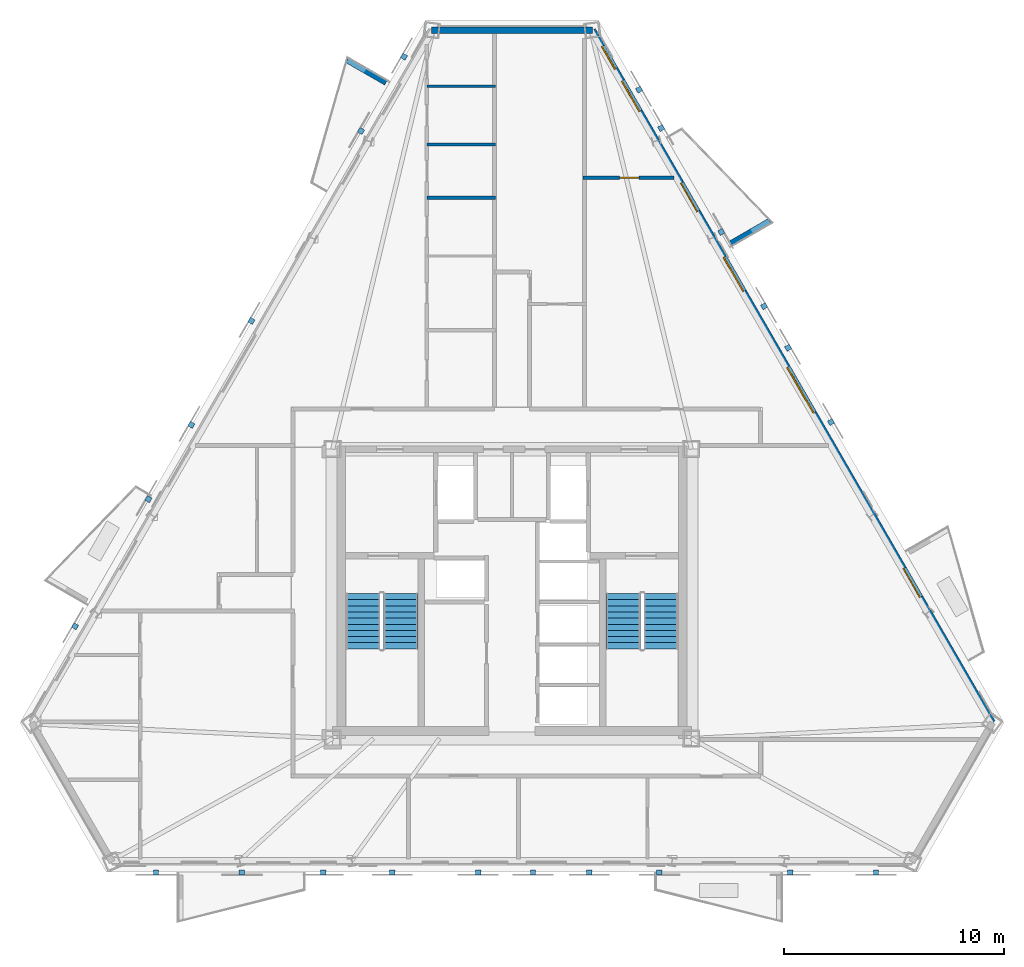
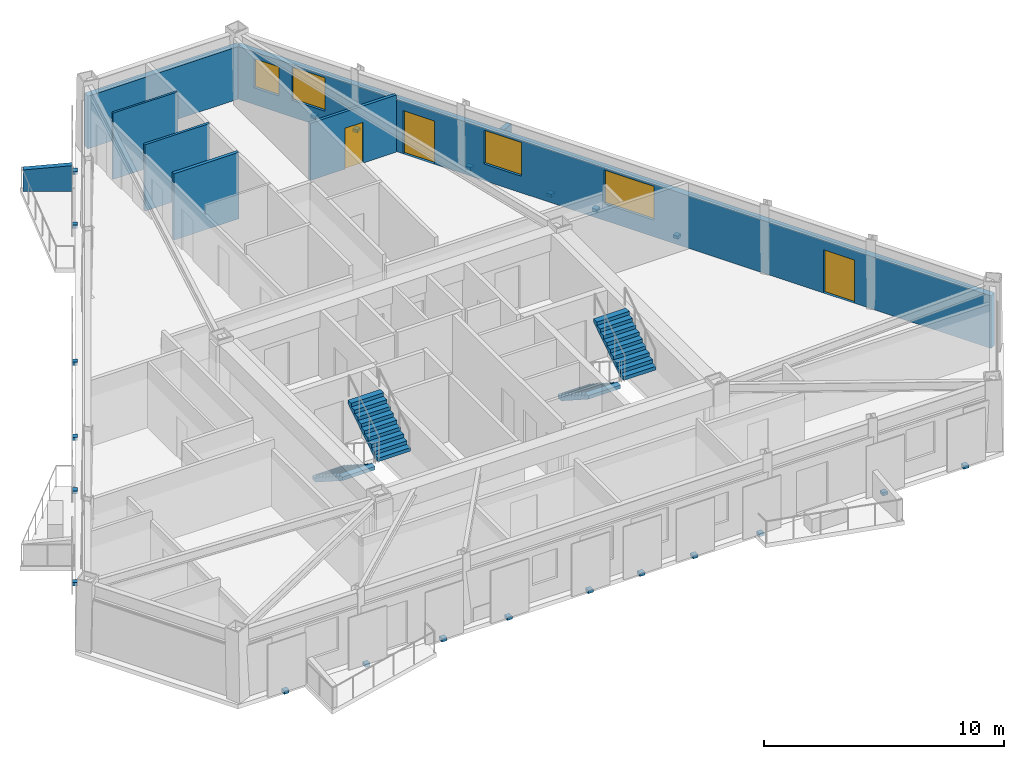
# One storey, part 5 of 9: 22 discrete accessories, 8 walls, 4 stair flights, 4 windows, 3 doors, 7 openings, 2 elements without a shape of their own.
"""IFC4 building model written with IfcOpenShell, lengths in metres."""

from ifc_helpers import new_model, si_unit, direction, frame, frame_2d, origin, origin_2d, place, context, subcontext, project, spatial, polyline, rectangle, outline, extrude, material, layer, layer_set, type_object, element, fill, aggregate, save


model = new_model("IFC4")

# Units and contexts
model_context = context("Model", 3, precision=1e-05, world=origin(), true_north=direction((0.0, 1.0)))
body_context = subcontext(model_context, "Body", "Model", "MODEL_VIEW")
ifc_project = project(units=[si_unit("LENGTHUNIT", "METRE"), si_unit("AREAUNIT", "SQUARE_METRE"), si_unit("VOLUMEUNIT", "CUBIC_METRE"), si_unit("PLANEANGLEUNIT", "RADIAN"), si_unit("MASSUNIT", "GRAM", prefix="KILO")], contexts=[model_context])

# Site, building, storey
site_placement = place(None, origin())
site = spatial("IfcSite", under=ifc_project, at=site_placement, CompositionType="ELEMENT")
building_placement = place(site_placement, origin())
building = spatial("IfcBuilding", under=site, at=building_placement, Name="Oramaril Tower", CompositionType="ELEMENT")
storey_placement = place(building_placement, frame((0.0, 0.0, 201.0)))
storey = spatial("IfcBuildingStorey", under=building, at=storey_placement, Name="L53", CompositionType="ELEMENT", Elevation=201.0)

# Wall, openings, doors, windows
ifc_material_1 = material(Name="Warm Cream Limestone", Category="masonry")
ifc_layer_1 = layer(ifc_material_1, 0.2900390625)
ifc_layer_set_1 = layer_set([ifc_layer_1], Name="WT-EXT29")
wall_type_1 = type_object("IfcWallType", Name="WT-EXT29", PredefinedType="SOLIDWALL", material=ifc_layer_set_1)
wall_1_placement = place(storey_placement, frame((59.335205078125, 11.71875, 0.0), z_axis=(0.0, 0.0, 1.0), x_axis=(-0.500001310321, 0.866024647269, 0.0)))
wall_1 = element("IfcWall", 1, at=wall_1_placement, inside=storey, type_object=wall_type_1, Name="L53 Tower Limestone Facade Wall 4M", PredefinedType="SOLIDWALL", context=body_context, shape_type="SweptSolid", body=[
    extrude(rectangle(XDim=36.35205078125, YDim=0.2900390625, at=frame_2d((18.176025390625, 0.0))), origin(), (0.0, 0.0, 1.0), 2.677001953125),
])
opening_1_placement = place(wall_1_placement, frame((6.579345703125, 0.0, 0.0)))
opening_1 = element("IfcOpeningElement", 2, at=opening_1_placement, cuts=wall_1, Name="Opening D-L53-BAL-NE1", PredefinedType="OPENING", context=body_context, shape_type="SweptSolid", body=[
    extrude(rectangle(XDim=1.5, YDim=2.199951171875, at=frame_2d((0.75, 1.10009765625))), frame((0.0, 0.14501953125, 0.0), z_axis=(0.0, -1.0, 0.0), x_axis=(1.0, 0.0, 0.0)), (0.0, 0.0, 1.0), 0.2900390625),
])
opening_2_placement = place(wall_1_placement, frame((26.8173828125, 0.0, 0.0)))
opening_2 = element("IfcOpeningElement", 3, at=opening_2_placement, cuts=wall_1, Name="Opening D-L53-BAL-NE2", PredefinedType="OPENING", context=body_context, shape_type="SweptSolid", body=[
    extrude(rectangle(XDim=1.5, YDim=2.199951171875, at=frame_2d((0.75, 1.10009765625))), frame((0.0, 0.14501953125, 0.0), z_axis=(0.0, -1.0, 0.0), x_axis=(1.0, 0.0, 0.0)), (0.0, 0.0, 1.0), 0.2900390625),
])
opening_3_placement = place(wall_1_placement, frame((34.29931640625, 0.0, 0.85009765625)))
opening_3 = element("IfcOpeningElement", 4, at=opening_3_placement, cuts=wall_1, Name="Opening WN-09", PredefinedType="OPENING", context=body_context, shape_type="SweptSolid", body=[
    extrude(rectangle(XDim=1.199951171875, YDim=1.47998046875, at=frame_2d((0.60009765625, 0.739990234375))), frame((0.0, 0.14501953125, 0.0), z_axis=(0.0, -1.0, 0.0), x_axis=(1.0, 0.0, 0.0)), (0.0, 0.0, 1.0), 0.2900390625),
])
opening_4_placement = place(wall_1_placement, frame((16.24853515625, 0.0, 0.85009765625)))
opening_4 = element("IfcOpeningElement", 5, at=opening_4_placement, cuts=wall_1, Name="Opening WN-03", PredefinedType="OPENING", context=body_context, shape_type="SweptSolid", body=[
    extrude(rectangle(XDim=2.39990234375, YDim=1.717041015625, at=frame_2d((1.199951171875, 0.8583984375))), frame((0.0, 0.14501953125, 0.0), z_axis=(0.0, -1.0, 0.0), x_axis=(1.0, 0.0, 0.0)), (0.0, 0.0, 1.0), 0.2900390625),
])
opening_5_placement = place(wall_1_placement, frame((22.629638671875, 0.0, 0.85009765625)))
opening_5 = element("IfcOpeningElement", 6, at=opening_5_placement, cuts=wall_1, Name="Opening WN-06", PredefinedType="OPENING", context=body_context, shape_type="SweptSolid", body=[
    extrude(rectangle(XDim=1.800048828125, YDim=1.717041015625, at=frame_2d((0.89990234375, 0.8583984375))), frame((0.0, 0.14501953125, 0.0), z_axis=(0.0, -1.0, 0.0), x_axis=(1.0, 0.0, 0.0)), (0.0, 0.0, 1.0), 0.2900390625),
])
opening_6_placement = place(wall_1_placement, frame((32.083740234375, 0.0, 0.85009765625)))
opening_6 = element("IfcOpeningElement", 7, at=opening_6_placement, cuts=wall_1, Name="Opening WN-07", PredefinedType="OPENING", context=body_context, shape_type="SweptSolid", body=[
    extrude(rectangle(XDim=1.60009765625, YDim=1.699951171875, at=frame_2d((0.800048828125, 0.85009765625))), frame((0.0, 0.14501953125, 0.0), z_axis=(0.0, -1.0, 0.0), x_axis=(1.0, 0.0, 0.0)), (0.0, 0.0, 1.0), 0.2900390625),
])
ifc_material_2 = material(Name="Anodised Aluminium 6063-T6", Category="aluminium")
door_type_1 = type_object("IfcDoorType", Name="DT-BAL", OperationType="NOTDEFINED", PredefinedType="DOOR", material=ifc_material_2)
door_1_placement = place(opening_1_placement, origin())
door_1 = element("IfcDoor", 8, at=door_1_placement, inside=storey, type_object=door_type_1, Name="L53 Balcony Glazed Door L53-BAL-NE1", OperationType="SINGLE_SWING_RIGHT", OverallHeight=2.199951171875, OverallWidth=1.5, PredefinedType="DOOR", context=body_context, shape_type="SweptSolid", body=[
    extrude(rectangle(XDim=1.5, YDim=2.199951171875, at=frame_2d((0.75, 1.10009765625))), frame((0.0, 0.02490234375, 0.0), z_axis=(0.0, -1.0, 0.0), x_axis=(1.0, 0.0, 0.0)), (0.0, 0.0, 1.0), 0.050048828125),
])
fill(opening_1, door_1)
door_2_placement = place(opening_2_placement, origin())
door_2 = element("IfcDoor", 9, at=door_2_placement, inside=storey, type_object=door_type_1, Name="L53 Balcony Glazed Door L53-BAL-NE2", OperationType="SINGLE_SWING_LEFT", OverallHeight=2.199951171875, OverallWidth=1.5, PredefinedType="DOOR", context=body_context, shape_type="SweptSolid", body=[
    extrude(rectangle(XDim=1.5, YDim=2.199951171875, at=frame_2d((0.75, 1.10009765625))), frame((0.0, 0.02490234375, 0.0), z_axis=(0.0, -1.0, 0.0), x_axis=(1.0, 0.0, 0.0)), (0.0, 0.0, 1.0), 0.050048828125),
])
fill(opening_2, door_2)
ifc_material_3 = material(Name="Coastal Low-E Insulated Glass", Category="glass")
window_type_1 = type_object("IfcWindowType", Name="WNT-03", PartitioningType="SINGLE_PANEL", PredefinedType="WINDOW", material=ifc_material_3)
window_1_placement = place(opening_4_placement, origin())
window_1 = element("IfcWindow", 10, at=window_1_placement, inside=storey, type_object=window_type_1, Name="L53 Chicago Bay Window WN-03", OverallHeight=1.717041015625, OverallWidth=2.39990234375, PartitioningType="SINGLE_PANEL", PredefinedType="WINDOW", context=body_context, shape_type="SweptSolid", body=[
    extrude(rectangle(XDim=2.39990234375, YDim=1.717041015625, at=frame_2d((1.199951171875, 0.8583984375))), frame((0.0, 0.030029296875, 0.0), z_axis=(0.0, -1.0, 0.0), x_axis=(1.0, 0.0, 0.0)), (0.0, 0.0, 1.0), 0.06005859375),
])
fill(opening_4, window_1)
ifc_material_4 = material(Name="Coastal Low-E Insulated Glass", Category="glass")
window_type_2 = type_object("IfcWindowType", Name="WNT-06", PartitioningType="SINGLE_PANEL", PredefinedType="WINDOW", material=ifc_material_4)
window_2_placement = place(opening_5_placement, origin())
window_2 = element("IfcWindow", 11, at=window_2_placement, inside=storey, type_object=window_type_2, Name="L53 Chicago Bay Window WN-06", OverallHeight=1.717041015625, OverallWidth=1.800048828125, PartitioningType="SINGLE_PANEL", PredefinedType="WINDOW", context=body_context, shape_type="SweptSolid", body=[
    extrude(rectangle(XDim=1.800048828125, YDim=1.717041015625, at=frame_2d((0.89990234375, 0.8583984375))), frame((0.0, 0.030029296875, 0.0), z_axis=(0.0, -1.0, 0.0), x_axis=(1.0, 0.0, 0.0)), (0.0, 0.0, 1.0), 0.06005859375),
])
fill(opening_5, window_2)
ifc_material_5 = material(Name="Coastal Low-E Insulated Glass", Category="glass")
window_type_3 = type_object("IfcWindowType", Name="WNT-07", PartitioningType="SINGLE_PANEL", PredefinedType="WINDOW", material=ifc_material_5)
window_3_placement = place(opening_6_placement, origin())
window_3 = element("IfcWindow", 12, at=window_3_placement, inside=storey, type_object=window_type_3, Name="L53 Chicago Bay Window WN-07", OverallHeight=1.699951171875, OverallWidth=1.60009765625, PartitioningType="SINGLE_PANEL", PredefinedType="WINDOW", context=body_context, shape_type="SweptSolid", body=[
    extrude(rectangle(XDim=1.60009765625, YDim=1.699951171875, at=frame_2d((0.800048828125, 0.85009765625))), frame((0.0, 0.030029296875, 0.0), z_axis=(0.0, -1.0, 0.0), x_axis=(1.0, 0.0, 0.0)), (0.0, 0.0, 1.0), 0.06005859375),
])
fill(opening_6, window_3)
ifc_material_6 = material(Name="Coastal Low-E Insulated Glass", Category="glass")
window_type_4 = type_object("IfcWindowType", Name="WNT-09", PartitioningType="SINGLE_PANEL", PredefinedType="WINDOW", material=ifc_material_6)
window_4_placement = place(opening_3_placement, origin())
window_4 = element("IfcWindow", 13, at=window_4_placement, inside=storey, type_object=window_type_4, Name="L53 Chicago Bay Window WN-09", OverallHeight=1.47998046875, OverallWidth=1.199951171875, PartitioningType="SINGLE_PANEL", PredefinedType="WINDOW", context=body_context, shape_type="SweptSolid", body=[
    extrude(rectangle(XDim=1.199951171875, YDim=1.47998046875, at=frame_2d((0.60009765625, 0.739990234375))), frame((0.0, 0.030029296875, 0.0), z_axis=(0.0, -1.0, 0.0), x_axis=(1.0, 0.0, 0.0)), (0.0, 0.0, 1.0), 0.06005859375),
])
fill(opening_3, window_4)

# Walls
wall_2_placement = place(storey_placement, frame((41.1591796875, 43.200439453125, 0.0), z_axis=(0.0, 0.0, 1.0), x_axis=(-1.0, 0.0, 0.0)))
element("IfcWall", 14, at=wall_2_placement, inside=storey, type_object=wall_type_1, Name="L53 Tower Limestone Facade Wall 5M", PredefinedType="SOLIDWALL", context=body_context, shape_type="SweptSolid", body=[
    extrude(rectangle(XDim=7.318359375, YDim=0.2900390625, at=frame_2d((3.6591796875, 0.0))), origin(), (0.0, 0.0, 1.0), 2.677001953125),
])
ifc_material_7 = material(Name="Concrete C40/50", Category="concrete")
ifc_layer_2 = layer(ifc_material_7, 0.22998046875)
ifc_layer_set_2 = layer_set([ifc_layer_2], Name="WT-PRP23")
wall_type_2 = type_object("IfcWallType", Name="WT-PRP23", PredefinedType="PARAPET", material=ifc_layer_set_2)
for number, where, z_axis, x_axis, name in (
    (15, (47.44189453125, 33.514892578125, 0.0), (0.0, 0.0, 1.0), (0.866012356593, 0.500022597718, 0.0), "L53 Trapezoidal Balcony Frame Cheek L53-BAL-NE2-L"),
    (16, (31.765625, 40.80224609375, 0.0), (0.0, 0.0, 1.0), (-0.866012356593, 0.500022597718, 0.0), "L53 Trapezoidal Balcony Frame Cheek L53-BAL-NW1-L"),
):
    element("IfcWall", number, at=place(storey_placement, frame(where, z_axis=z_axis, x_axis=x_axis)), inside=storey, type_object=wall_type_2, Name=name, PredefinedType="PARAPET", context=body_context, shape_type="SweptSolid", body=[
        extrude(outline(polyline([(0.0, 0.0), (2.0419921875, 0.0), (2.0419921875, 1.10009765625), (0.0, 1.320068359375), (0.0, 0.0)])), frame((0.0, 0.114990234375, 0.0), z_axis=(0.0, -1.0, 0.0), x_axis=(1.0, 0.0, 0.0)), (0.0, 0.0, 1.0), 0.22998046875),
    ])
ifc_material_8 = material(Name="Acoustic Gypsum Board Partition")
ifc_layer_3 = layer(ifc_material_8, 0.10009765625)
ifc_layer_set_3 = layer_set([ifc_layer_3], Name="WT-PT10")
wall_type_3 = type_object("IfcWallType", Name="WT-PT10", PredefinedType="PARTITIONING", material=ifc_layer_set_3)
wall_3_placement = place(storey_placement, frame((33.6298828125, 40.64990234375, 0.0), z_axis=(0.0, 0.0, 1.0), x_axis=(1.0, 0.0, 0.0)))
element("IfcWall", 17, at=wall_3_placement, inside=storey, type_object=wall_type_3, Name="L53 Interior Partition PT-10", PredefinedType="PARTITIONING", context=body_context, shape_type="SweptSolid", body=[
    extrude(rectangle(XDim=3.1201171875, YDim=0.10009765625, at=frame_2d((1.56005859375, 0.0))), origin(), (0.0, 0.0, 1.0), 3.3798828125),
])
ifc_material_9 = material(Name="Acoustic Gypsum Board Partition")
ifc_layer_4 = layer(ifc_material_9, 0.1201171875)
ifc_layer_set_4 = layer_set([ifc_layer_4], Name="WT-PT12")
wall_type_4 = type_object("IfcWallType", Name="WT-PT12", PredefinedType="PARTITIONING", material=ifc_layer_set_4)
wall_4_placement = place(storey_placement, frame((33.6298828125, 38.0, 0.0), z_axis=(0.0, 0.0, 1.0), x_axis=(1.0, 0.0, 0.0)))
element("IfcWall", 18, at=wall_4_placement, inside=storey, type_object=wall_type_4, Name="L53 Interior Partition PT-12", PredefinedType="PARTITIONING", context=body_context, shape_type="SweptSolid", body=[
    extrude(rectangle(XDim=3.1201171875, YDim=0.1201171875, at=frame_2d((1.56005859375, 0.0))), origin(), (0.0, 0.0, 1.0), 3.3798828125),
])

# Wall, opening, door
ifc_material_10 = material(Name="Acoustic Gypsum Board Partition")
ifc_layer_5 = layer(ifc_material_10, 0.139892578125)
ifc_layer_set_5 = layer_set([ifc_layer_5], Name="WT-PT14")
wall_type_5 = type_object("IfcWallType", Name="WT-PT14", PredefinedType="PARTITIONING", material=ifc_layer_set_5)
wall_5_placement = place(storey_placement, frame((40.718017578125, 36.489990234375, 0.0), z_axis=(0.0, 0.0, 1.0), x_axis=(1.0, 0.0, 0.0)))
wall_5 = element("IfcWall", 19, at=wall_5_placement, inside=storey, type_object=wall_type_5, Name="L53 Interior Partition PT-14", PredefinedType="PARTITIONING", context=body_context, shape_type="SweptSolid", body=[
    extrude(rectangle(XDim=4.1435546875, YDim=0.139892578125, at=frame_2d((2.07177734375, 0.0))), origin(), (0.0, 0.0, 1.0), 2.9130859375),
])
opening_7_placement = place(wall_5_placement, frame((1.67138671875, 0.0, 0.0)))
opening_7 = element("IfcOpeningElement", 20, at=opening_7_placement, cuts=wall_5, Name="Opening D-L53-06", PredefinedType="OPENING", context=body_context, shape_type="SweptSolid", body=[
    extrude(rectangle(XDim=0.8798828125, YDim=2.080078125, at=frame_2d((0.43994140625, 1.0400390625))), frame((0.0, 0.06982421875, 0.0), z_axis=(0.0, -1.0, 0.0), x_axis=(1.0, 0.0, 0.0)), (0.0, 0.0, 1.0), 0.139892578125),
])
ifc_material_11 = material(Name="FSC Brazilian Freijo Hardwood", Category="wood")
door_type_2 = type_object("IfcDoorType", Name="DT-BATH", OperationType="NOTDEFINED", PredefinedType="DOOR", material=ifc_material_11)
door_3_placement = place(opening_7_placement, origin())
door_3 = element("IfcDoor", 21, at=door_3_placement, inside=storey, type_object=door_type_2, Name="L53 Flat L53-U7 Bathroom Door D-L53-06", OperationType="SINGLE_SWING_RIGHT", OverallHeight=2.080078125, OverallWidth=0.8798828125, PredefinedType="DOOR", context=body_context, shape_type="SweptSolid", body=[
    extrude(rectangle(XDim=0.8798828125, YDim=2.080078125, at=frame_2d((0.43994140625, 1.0400390625))), frame((0.0, 0.02490234375, 0.0), z_axis=(0.0, -1.0, 0.0), x_axis=(1.0, 0.0, 0.0)), (0.0, 0.0, 1.0), 0.050048828125),
])
fill(opening_7, door_3)

# Wall
ifc_material_12 = material(Name="Acoustic Gypsum Board Partition")
ifc_layer_6 = layer(ifc_material_12, 0.159912109375)
ifc_layer_set_6 = layer_set([ifc_layer_6], Name="WT-PT16")
wall_type_6 = type_object("IfcWallType", Name="WT-PT16", PredefinedType="PARTITIONING", material=ifc_layer_set_6)
wall_6_placement = place(storey_placement, frame((33.6298828125, 35.590087890625, 0.0), z_axis=(0.0, 0.0, 1.0), x_axis=(1.0, 0.0, 0.0)))
element("IfcWall", 22, at=wall_6_placement, inside=storey, type_object=wall_type_6, Name="L53 Interior Partition PT-16", PredefinedType="PARTITIONING", context=body_context, shape_type="SweptSolid", body=[
    extrude(rectangle(XDim=3.1201171875, YDim=0.159912109375, at=frame_2d((1.56005859375, 0.0))), origin(), (0.0, 0.0, 1.0), 3.3798828125),
])

# Stair, stair flights
ifc_material_13 = material(Name="Concrete C50/60", Category="concrete")
stair_type = type_object("IfcStairType", Name="STT-DG-3600", PredefinedType="HALF_TURN_STAIR", material=ifc_material_13)
stair_1_placement = place(storey_placement, origin())
stair_1 = element("IfcStair", 23, at=stair_1_placement, inside=storey, type_object=stair_type, Name="L53 Protected PFP Exit Stair ST-1", PredefinedType="HALF_TURN_STAIR")
ifc_material_14 = material(Name="Concrete C50/60", Category="concrete")
stair_flight_type = type_object("IfcStairFlightType", Name="SFT-DG-3600", PredefinedType="STRAIGHT", material=ifc_material_14)
stair_flight_1_placement = place(storey_placement, frame((30.72998046875, 17.590087890625, 0.0), z_axis=(0.0, 0.0, 1.0), x_axis=(0.0, -1.0, 0.0)))
stair_flight_1 = element("IfcStairFlight", 24, at=stair_flight_1_placement, type_object=stair_flight_type, Name="ST-1 flight 1", NumberOfRisers=10, NumberOfTreads=9, PredefinedType="STRAIGHT", RiserHeight=0.18, TreadLength=0.28, context=body_context, shape_type="SweptSolid", body=[
    extrude(outline(polyline([(0.0, 0.0), (0.0, 0.179931640625), (0.280029296875, 0.179931640625), (0.280029296875, 0.360107421875), (0.56005859375, 0.360107421875), (0.56005859375, 0.5400390625), (0.840087890625, 0.5400390625), (0.840087890625, 0.719970703125), (1.1201171875, 0.719970703125), (1.1201171875, 0.89990234375), (1.39990234375, 0.89990234375), (1.39990234375, 1.080078125), (1.679931640625, 1.080078125), (1.679931640625, 1.260009765625), (1.9599609375, 1.260009765625), (1.9599609375, 1.43994140625), (2.239990234375, 1.43994140625), (2.239990234375, 1.6201171875), (2.52001953125, 1.6201171875), (2.52001953125, 1.800048828125), (2.52001953125, 1.44189453125), (0.277099609375, 0.0), (0.0, 0.0)])), frame((0.0, 0.780029296875, 0.0), z_axis=(0.0, -1.0, 0.0), x_axis=(1.0, 0.0, 0.0)), (0.0, 0.0, 1.0), 1.56005859375),
])
stair_flight_2_placement = place(storey_placement, frame((32.43994140625, 15.070068359375, 1.800048828125), z_axis=(0.0, 0.0, 1.0), x_axis=(0.0, 1.0, 0.0)))
stair_flight_2 = element("IfcStairFlight", 25, at=stair_flight_2_placement, type_object=stair_flight_type, Name="ST-1 flight 2", NumberOfRisers=10, NumberOfTreads=9, PredefinedType="STRAIGHT", RiserHeight=0.18, TreadLength=0.28, context=body_context, shape_type="SweptSolid", body=[
    extrude(outline(polyline([(0.0, 0.0), (0.0, 0.179931640625), (0.280029296875, 0.179931640625), (0.280029296875, 0.360107421875), (0.56005859375, 0.360107421875), (0.56005859375, 0.5400390625), (0.840087890625, 0.5400390625), (0.840087890625, 0.719970703125), (1.1201171875, 0.719970703125), (1.1201171875, 0.89990234375), (1.39990234375, 0.89990234375), (1.39990234375, 1.080078125), (1.679931640625, 1.080078125), (1.679931640625, 1.260009765625), (1.9599609375, 1.260009765625), (1.9599609375, 1.43994140625), (2.239990234375, 1.43994140625), (2.239990234375, 1.6201171875), (2.52001953125, 1.6201171875), (2.52001953125, 1.800048828125), (2.52001953125, 1.44189453125), (0.277099609375, 0.0), (0.0, 0.0)])), frame((0.0, 0.780029296875, 0.0), z_axis=(0.0, -1.0, 0.0), x_axis=(1.0, 0.0, 0.0)), (0.0, 0.0, 1.0), 1.56005859375),
])
aggregate(stair_1, [stair_flight_1, stair_flight_2])

stair_2_placement = place(storey_placement, origin())
stair_2 = element("IfcStair", 26, at=stair_2_placement, inside=storey, type_object=stair_type, Name="L53 Protected PFP Exit Stair ST-2", PredefinedType="HALF_TURN_STAIR")
stair_flight_3_placement = place(storey_placement, frame((42.56005859375, 17.590087890625, 0.0), z_axis=(0.0, 0.0, 1.0), x_axis=(0.0, -1.0, 0.0)))
stair_flight_3 = element("IfcStairFlight", 27, at=stair_flight_3_placement, type_object=stair_flight_type, Name="ST-2 flight 1", NumberOfRisers=10, NumberOfTreads=9, PredefinedType="STRAIGHT", RiserHeight=0.18, TreadLength=0.28, context=body_context, shape_type="SweptSolid", body=[
    extrude(outline(polyline([(0.0, 0.0), (0.0, 0.179931640625), (0.280029296875, 0.179931640625), (0.280029296875, 0.360107421875), (0.56005859375, 0.360107421875), (0.56005859375, 0.5400390625), (0.840087890625, 0.5400390625), (0.840087890625, 0.719970703125), (1.1201171875, 0.719970703125), (1.1201171875, 0.89990234375), (1.39990234375, 0.89990234375), (1.39990234375, 1.080078125), (1.679931640625, 1.080078125), (1.679931640625, 1.260009765625), (1.9599609375, 1.260009765625), (1.9599609375, 1.43994140625), (2.239990234375, 1.43994140625), (2.239990234375, 1.6201171875), (2.52001953125, 1.6201171875), (2.52001953125, 1.800048828125), (2.52001953125, 1.44189453125), (0.277099609375, 0.0), (0.0, 0.0)])), frame((0.0, 0.780029296875, 0.0), z_axis=(0.0, -1.0, 0.0), x_axis=(1.0, 0.0, 0.0)), (0.0, 0.0, 1.0), 1.56005859375),
])
stair_flight_4_placement = place(storey_placement, frame((44.27001953125, 15.070068359375, 1.800048828125), z_axis=(0.0, 0.0, 1.0), x_axis=(0.0, 1.0, 0.0)))
stair_flight_4 = element("IfcStairFlight", 28, at=stair_flight_4_placement, type_object=stair_flight_type, Name="ST-2 flight 2", NumberOfRisers=10, NumberOfTreads=9, PredefinedType="STRAIGHT", RiserHeight=0.18, TreadLength=0.28, context=body_context, shape_type="SweptSolid", body=[
    extrude(outline(polyline([(0.0, 0.0), (0.0, 0.179931640625), (0.280029296875, 0.179931640625), (0.280029296875, 0.360107421875), (0.56005859375, 0.360107421875), (0.56005859375, 0.5400390625), (0.840087890625, 0.5400390625), (0.840087890625, 0.719970703125), (1.1201171875, 0.719970703125), (1.1201171875, 0.89990234375), (1.39990234375, 0.89990234375), (1.39990234375, 1.080078125), (1.679931640625, 1.080078125), (1.679931640625, 1.260009765625), (1.9599609375, 1.260009765625), (1.9599609375, 1.43994140625), (2.239990234375, 1.43994140625), (2.239990234375, 1.6201171875), (2.52001953125, 1.6201171875), (2.52001953125, 1.800048828125), (2.52001953125, 1.44189453125), (0.277099609375, 0.0), (0.0, 0.0)])), frame((0.0, 0.780029296875, 0.0), z_axis=(0.0, -1.0, 0.0), x_axis=(1.0, 0.0, 0.0)), (0.0, 0.0, 1.0), 1.56005859375),
])
aggregate(stair_2, [stair_flight_3, stair_flight_4])

# Discrete accessories
for number, where, z_axis, x_axis, name in (
    (29, (32.0595703125, 4.900634765625, -0.14013671875), (0.0, 0.0, 1.0), (1.0, 0.0, 0.0), "L53 Solar Screen Slab Bracket"),
    (30, (35.959716796875, 4.900634765625, -0.14013671875), (0.0, 0.0, 1.0), (1.0, 0.0, 0.0), "L53 Solar Screen Slab Bracket"),
    (31, (38.455078125, 4.900634765625, -0.14013671875), (0.0, 0.0, 1.0), (1.0, 0.0, 0.0), "L53 Solar Screen Slab Bracket"),
    (32, (50.145751953125, 4.900634765625, -0.14013671875), (0.0, 0.0, 1.0), (1.0, 0.0, 0.0), "L53 Solar Screen Slab Bracket"),
    (33, (54.045654296875, 4.900634765625, -0.14013671875), (0.0, 0.0, 1.0), (1.0, 0.0, 0.0), "L53 Solar Screen Slab Bracket"),
    (34, (41.00830078125, 4.900634765625, -0.14013671875), (0.0, 0.0, 1.0), (1.0, 0.0, 0.0), "L53 Solar Screen Slab Bracket"),
    (35, (44.19873046875, 4.900634765625, -0.14013671875), (0.0, 0.0, 1.0), (1.0, 0.0, 0.0), "L53 Solar Screen Slab Bracket"),
    (36, (21.318603515625, 4.900634765625, -0.14013671875), (0.0, 0.0, 1.0), (1.0, 0.0, 0.0), "L53 Solar Screen Slab Bracket"),
    (37, (25.218505859375, 4.900634765625, -0.14013671875), (0.0, 0.0, 1.0), (1.0, 0.0, 0.0), "L53 Solar Screen Slab Bracket"),
    (38, (28.9208984375, 4.900634765625, -0.14013671875), (0.0, 0.0, 1.0), (1.0, 0.0, 0.0), "L53 Solar Screen Slab Bracket"),
    (39, (43.2763671875, 40.49365234375, -0.14013671875), (0.0, 0.0, 1.0), (-0.5, 0.866025403784, 0.0), "L53 Solar Screen Slab Bracket"),
    (40, (52.001708984375, 25.381103515625, -0.14013671875), (0.0, 0.0, 1.0), (-0.5, 0.866025403784, 0.0), "L53 Solar Screen Slab Bracket"),
    (41, (50.0517578125, 28.758544921875, -0.14013671875), (0.0, 0.0, 1.0), (-0.5, 0.866025403784, 0.0), "L53 Solar Screen Slab Bracket"),
    (42, (48.961181640625, 30.647216796875, -0.14013671875), (0.0, 0.0, 1.0), (-0.5, 0.866025403784, 0.0), "L53 Solar Screen Slab Bracket"),
    (43, (47.01123046875, 34.02490234375, -0.14013671875), (0.0, 0.0, 1.0), (-0.5, 0.866025403784, 0.0), "L53 Solar Screen Slab Bracket"),
    (44, (44.2841796875, 38.748291015625, -0.14013671875), (0.0, 0.0, 1.0), (-0.5, 0.866025403784, 0.0), "L53 Solar Screen Slab Bracket"),
    (45, (17.637939453125, 16.096435546875, -0.14013671875), (0.0, 0.0, 1.0), (-0.5, -0.866025403784, 0.0), "L53 Solar Screen Slab Bracket"),
    (46, (22.92529296875, 25.25439453125, -0.14013671875), (0.0, 0.0, 1.0), (-0.5, -0.866025403784, 0.0), "L53 Solar Screen Slab Bracket"),
    (47, (20.975341796875, 21.876953125, -0.14013671875), (0.0, 0.0, 1.0), (-0.5, -0.866025403784, 0.0), "L53 Solar Screen Slab Bracket"),
    (48, (32.58837890625, 41.9912109375, -0.14013671875), (0.0, 0.0, 1.0), (-0.5, -0.866025403784, 0.0), "L53 Solar Screen Slab Bracket"),
    (49, (30.63818359375, 38.61376953125, -0.14013671875), (0.0, 0.0, 1.0), (-0.5, -0.866025403784, 0.0), "L53 Solar Screen Slab Bracket"),
    (50, (25.65478515625, 29.98193359375, -0.14013671875), (0.0, 0.0, 1.0), (-0.5, -0.866025403784, 0.0), "L53 Solar Screen Slab Bracket"),
):
    element("IfcDiscreteAccessory", number, at=place(storey_placement, frame(where, z_axis=z_axis, x_axis=x_axis)), inside=storey, Name=name, PredefinedType="BRACKET", context=body_context, shape_type="SweptSolid", body=[
        extrude(rectangle(XDim=0.239990234375, YDim=0.239990234375, at=origin_2d()), origin(), (0.0, 0.0, 1.0), 0.159912109375),
    ])

save(model, "model.ifc")
